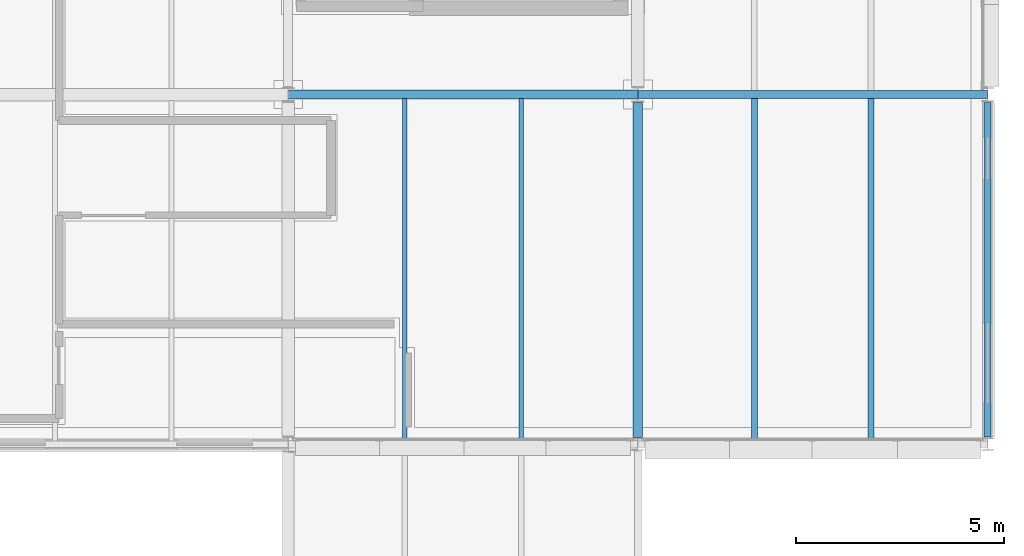
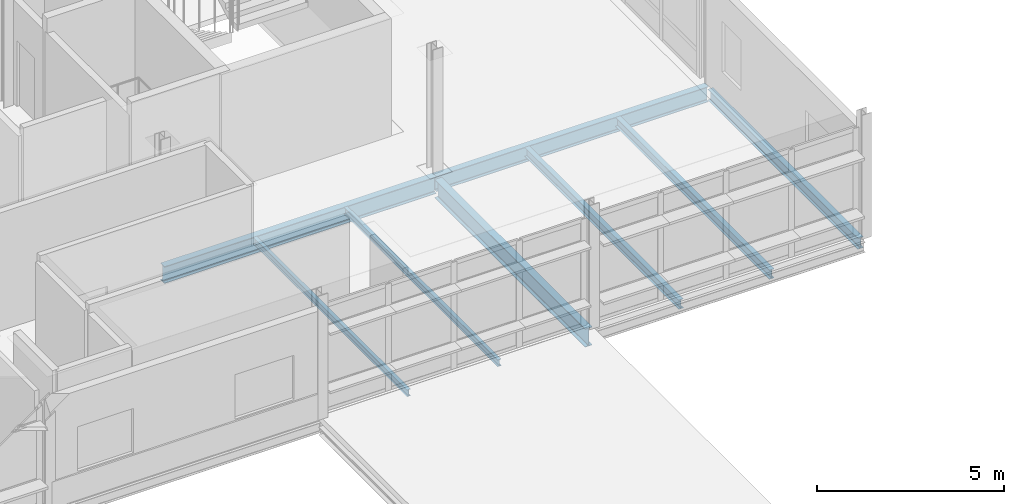
# One storey, part 37 of 57: 8 beams.
"""IFC4 building model written with IfcOpenShell, lengths in metres."""

from ifc_helpers import new_model, si_unit, direction, frame, origin, origin_2d, place, context, subcontext, project, spatial, i_section, extrude, material, material_profile, profile_set, type_object, element, save


model = new_model("IFC4")

# Units and contexts
model_context = context("Model", 3, precision=1e-05, world=origin(), true_north=direction((0.0, 1.0)))
body_context = subcontext(model_context, "Body", "Model", "MODEL_VIEW")
ifc_project = project(units=[si_unit("LENGTHUNIT", "METRE"), si_unit("AREAUNIT", "SQUARE_METRE"), si_unit("VOLUMEUNIT", "CUBIC_METRE"), si_unit("PLANEANGLEUNIT", "RADIAN"), si_unit("MASSUNIT", "GRAM", prefix="KILO")], contexts=[model_context])

# Site, building, storey
site_placement = place(None, origin())
site = spatial("IfcSite", under=ifc_project, at=site_placement, CompositionType="ELEMENT")
building_placement = place(site_placement, origin())
building = spatial("IfcBuilding", under=site, at=building_placement, Name="Mersafa Astral City Hall", CompositionType="ELEMENT")
storey_placement = place(building_placement, frame((0.0, 0.0, 26.10009765625)))
storey = spatial("IfcBuildingStorey", under=building, at=storey_placement, Name="L06", CompositionType="ELEMENT", Elevation=26.10009765625)

# Beams
ifc_material = material(Name="Steel S355", Category="steel")
ifc_material_profile_1 = material_profile(ifc_material, i_section(OverallWidth=0.199951171875, OverallDepth=0.5, WebThickness=0.01025390625, FlangeThickness=0.01611328125, FilletRadius=0.02099609375, at=origin_2d()), Name="IPE 500")
ifc_profile_set_1 = profile_set([ifc_material_profile_1], Name="Steel S355")
beam_type_1 = type_object("IfcBeamType", Name="STR-BM-IPE500", PredefinedType="BEAM", material=ifc_profile_set_1)
beam_1_placement = place(storey_placement, frame((176.403076171875, 109.199951171875, -0.425048828125), z_axis=(1.0, 0.0, 0.0), x_axis=(0.0, 1.0, 0.0)))
element("IfcBeam", 1, at=beam_1_placement, inside=storey, type_object=beam_type_1, Name="L06 Primary girder X 21-13", PredefinedType="BEAM", context=body_context, shape_type="SweptSolid", body=[
    extrude(i_section(OverallWidth=0.199951171875, OverallDepth=0.5, WebThickness=0.01025390625, FlangeThickness=0.01611328125, FilletRadius=0.02099609375, at=origin_2d()), origin(), (0.0, 0.0, 1.0), 8.39404296875),
])
ifc_material_profile_2 = material_profile(ifc_material, i_section(OverallWidth=0.2099609375, OverallDepth=0.550048828125, WebThickness=0.010986328125, FlangeThickness=0.01708984375, FilletRadius=0.02392578125, at=origin_2d()), Name="IPE 550")
ifc_profile_set_2 = profile_set([ifc_material_profile_2], Name="Steel S355")
beam_type_2 = type_object("IfcBeamType", Name="STR-BM-IPE550", PredefinedType="BEAM", material=ifc_profile_set_2)
beam_2_placement = place(storey_placement, frame((168.0029296875, 109.199951171875, -0.4501953125), z_axis=(1.0, 0.0, 0.0), x_axis=(0.0, 1.0, 0.0)))
element("IfcBeam", 2, at=beam_2_placement, inside=storey, type_object=beam_type_2, Name="L06 Primary girder X 20-13", PredefinedType="BEAM", context=body_context, shape_type="SweptSolid", body=[
    extrude(i_section(OverallWidth=0.2099609375, OverallDepth=0.550048828125, WebThickness=0.010986328125, FlangeThickness=0.01708984375, FilletRadius=0.02392578125, at=origin_2d()), origin(), (0.0, 0.0, 1.0), 8.39404296875),
])
ifc_material_profile_3 = material_profile(ifc_material, i_section(OverallWidth=0.219970703125, OverallDepth=0.60009765625, WebThickness=0.011962890625, FlangeThickness=0.01904296875, FilletRadius=0.02392578125, at=origin_2d()), Name="IPE 600")
ifc_profile_set_3 = profile_set([ifc_material_profile_3], Name="Steel S355")
beam_type_3 = type_object("IfcBeamType", Name="STR-BM-IPE600", PredefinedType="BEAM", material=ifc_profile_set_3)
beam_3_placement = place(storey_placement, frame((176.39990234375, 100.965087890625, -0.47509765625), z_axis=(0.0, 1.0, 0.0), x_axis=(-1.0, 0.0, 0.0)))
element("IfcBeam", 3, at=beam_3_placement, inside=storey, type_object=beam_type_3, Name="L06 Primary girder Y 21-12", PredefinedType="BEAM", context=body_context, shape_type="SweptSolid", body=[
    extrude(i_section(OverallWidth=0.219970703125, OverallDepth=0.60009765625, WebThickness=0.011962890625, FlangeThickness=0.01904296875, FilletRadius=0.02392578125, at=origin_2d()), origin(), (0.0, 0.0, 1.0), 8.039794921875),
])
ifc_material_profile_4 = material_profile(ifc_material, i_section(OverallWidth=0.110107421875, OverallDepth=0.219970703125, WebThickness=0.005859375, FlangeThickness=0.00927734375, FilletRadius=0.011962890625, at=origin_2d()), Name="IPE 220")
ifc_profile_set_4 = profile_set([ifc_material_profile_4], Name="Steel S355")
beam_type_4 = type_object("IfcBeamType", Name="STR-BM-JOIST-IPE220", PredefinedType="JOIST", material=ifc_profile_set_4)
for number, where, z_axis, x_axis, name in (
    (4, (170.800048828125, 100.8798828125, -0.28515625), (0.0, 1.0, 0.0), (-1.0, 0.0, 0.0), "L06 Composite secondary floor joist 880"),
    (5, (173.60009765625, 100.8798828125, -0.28515625), (0.0, 1.0, 0.0), (-1.0, 0.0, 0.0), "L06 Composite secondary floor joist 881"),
):
    element("IfcBeam", number, at=place(storey_placement, frame(where, z_axis=z_axis, x_axis=x_axis)), inside=storey, type_object=beam_type_4, Name=name, PredefinedType="JOIST", context=body_context, shape_type="SweptSolid", body=[
        extrude(i_section(OverallWidth=0.110107421875, OverallDepth=0.219970703125, WebThickness=0.005859375, FlangeThickness=0.00927734375, FilletRadius=0.011962890625, at=origin_2d()), origin(), (0.0, 0.0, 1.0), 8.22021484375),
    ])
ifc_material_profile_5 = material_profile(ifc_material, i_section(OverallWidth=0.14990234375, OverallDepth=0.300048828125, WebThickness=0.007080078125, FlangeThickness=0.0107421875, FilletRadius=0.014892578125, at=origin_2d()), Name="IPE 300")
ifc_profile_set_5 = profile_set([ifc_material_profile_5], Name="Steel S355")
beam_type_5 = type_object("IfcBeamType", Name="STR-BM-JOIST-IPE300", PredefinedType="JOIST", material=ifc_profile_set_5)
for number, where, z_axis, x_axis, name in (
    (6, (179.199951171875, 100.875, -0.3251953125), (0.0, 1.0, 0.0), (-1.0, 0.0, 0.0), "L06 Composite secondary floor joist 882"),
    (7, (182.0, 100.875, -0.3251953125), (0.0, 1.0, 0.0), (-1.0, 0.0, 0.0), "L06 Composite secondary floor joist 883"),
):
    element("IfcBeam", number, at=place(storey_placement, frame(where, z_axis=z_axis, x_axis=x_axis)), inside=storey, type_object=beam_type_5, Name=name, PredefinedType="JOIST", context=body_context, shape_type="SweptSolid", body=[
        extrude(i_section(OverallWidth=0.14990234375, OverallDepth=0.300048828125, WebThickness=0.007080078125, FlangeThickness=0.0107421875, FilletRadius=0.014892578125, at=origin_2d()), origin(), (0.0, 0.0, 1.0), 8.22998046875),
    ])
ifc_material_profile_6 = material_profile(ifc_material, i_section(OverallWidth=0.169921875, OverallDepth=0.360107421875, WebThickness=0.008056640625, FlangeThickness=0.0126953125, FilletRadius=0.01806640625, at=origin_2d()), Name="IPE 360")
ifc_profile_set_6 = profile_set([ifc_material_profile_6], Name="Steel S355")
beam_type_6 = type_object("IfcBeamType", Name="STR-BM-SPANDREL-IPE360", PredefinedType="SPANDREL", material=ifc_profile_set_6)
beam_4_placement = place(storey_placement, frame((184.800048828125, 100.97509765625, -0.35498046875), z_axis=(0.0, 1.0, 0.0), x_axis=(-1.0, 0.0, 0.0)))
element("IfcBeam", 8, at=beam_4_placement, inside=storey, type_object=beam_type_6, Name="L06 Primary girder Y 22-12", PredefinedType="SPANDREL", context=body_context, shape_type="SweptSolid", body=[
    extrude(i_section(OverallWidth=0.169921875, OverallDepth=0.360107421875, WebThickness=0.008056640625, FlangeThickness=0.0126953125, FilletRadius=0.01806640625, at=origin_2d()), origin(), (0.0, 0.0, 1.0), 8.02978515625),
])

save(model, "model.ifc")
